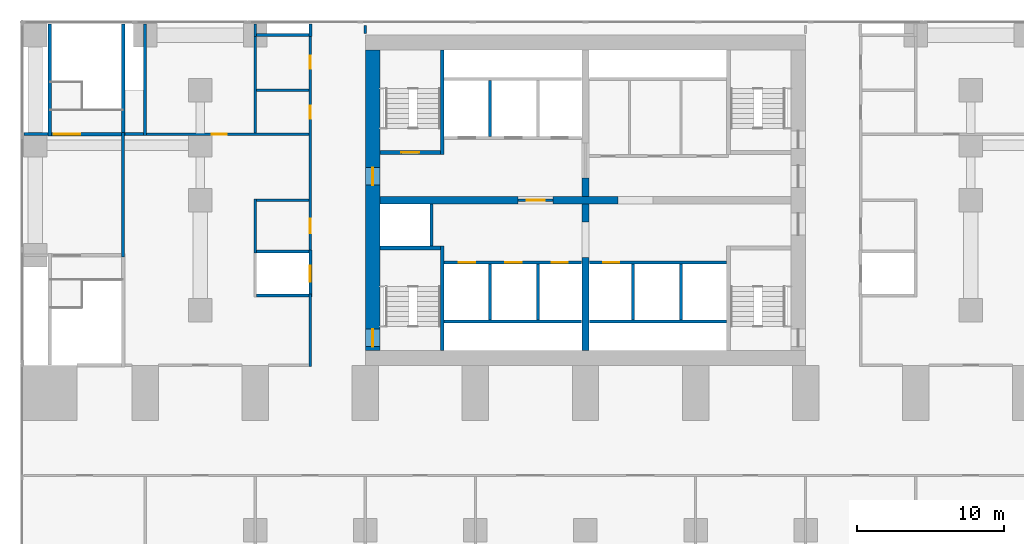
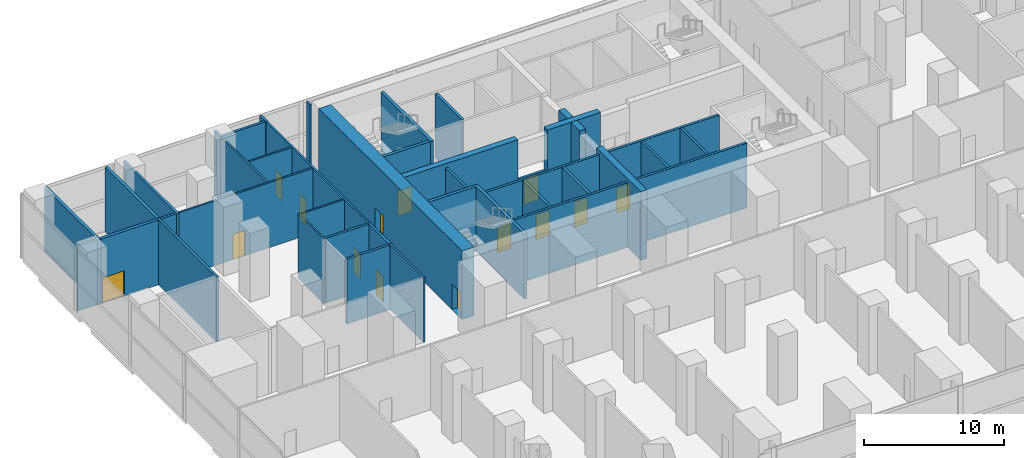
# One storey, part 10 of 14: 42 walls, 14 doors, 14 openings.
"""IFC4 building model written with IfcOpenShell, lengths in metres."""

from ifc_helpers import new_model, si_unit, direction, frame, frame_2d, origin, place, context, subcontext, project, spatial, rectangle, extrude, material, layer, layer_set, type_object, element, fill, save


model = new_model("IFC4")

# Units and contexts
model_context = context("Model", 3, precision=1e-05, world=origin(), true_north=direction((0.0, 1.0)))
body_context = subcontext(model_context, "Body", "Model", "MODEL_VIEW")
ifc_project = project(units=[si_unit("LENGTHUNIT", "METRE"), si_unit("AREAUNIT", "SQUARE_METRE"), si_unit("VOLUMEUNIT", "CUBIC_METRE"), si_unit("PLANEANGLEUNIT", "RADIAN"), si_unit("MASSUNIT", "GRAM", prefix="KILO")], contexts=[model_context])

# Site, building, storey
site_placement = place(None, origin())
site = spatial("IfcSite", under=ifc_project, at=site_placement, CompositionType="ELEMENT")
building_placement = place(site_placement, origin())
building = spatial("IfcBuilding", under=site, at=building_placement, Name="Pilkhan Gate Tower", CompositionType="ELEMENT")
storey_placement = place(building_placement, frame((0.0, 0.0, 24.0)))
storey = spatial("IfcBuildingStorey", under=building, at=storey_placement, Name="L03", CompositionType="ELEMENT", Elevation=24.0)

# Wall, openings, doors
ifc_material_1 = material(Name="Concrete C70/85", Category="concrete")
ifc_layer_1 = layer(ifc_material_1, 1.0)
ifc_layer_set_1 = layer_set([ifc_layer_1], Name="Core wall CW1000 C70/85")
wall_type_1 = type_object("IfcWallType", Name="Core wall CW1000 C70/85", PredefinedType="SHEAR", material=ifc_layer_set_1)
wall_1_placement = place(storey_placement, frame((60.5, 92.75, 0.0), z_axis=(0.0, 0.0, 1.0), x_axis=(0.0, -1.0, 0.0)))
wall_1 = element("IfcWall", 1, at=wall_1_placement, inside=storey, type_object=wall_type_1, Name="Core wall W L03", PredefinedType="SHEAR", context=body_context, shape_type="SweptSolid", body=[
    extrude(rectangle(XDim=20.5, YDim=1.0, at=frame_2d((10.25, 0.0))), origin(), (0.0, 0.0, 1.0), 6.0),
])
opening_1_placement = place(wall_1_placement, frame((19.02490234375, 0.0, 0.0)))
opening_1 = element("IfcOpeningElement", 2, at=opening_1_placement, cuts=wall_1, Name="Opening L03-04", PredefinedType="OPENING", context=body_context, shape_type="SweptSolid", body=[
    extrude(rectangle(XDim=1.199951171875, YDim=2.199951171875, at=frame_2d((0.60009765625, 1.10009765625))), frame((0.0, 0.510009765625, 0.0), z_axis=(0.0, -1.0, 0.0), x_axis=(1.0, 0.0, 0.0)), (0.0, 0.0, 1.0), 1.02001953125),
])
opening_2_placement = place(wall_1_placement, frame((8.02490234375, 0.0, 0.0)))
opening_2 = element("IfcOpeningElement", 3, at=opening_2_placement, cuts=wall_1, Name="Opening L03-15", PredefinedType="OPENING", context=body_context, shape_type="SweptSolid", body=[
    extrude(rectangle(XDim=1.199951171875, YDim=2.199951171875, at=frame_2d((0.60009765625, 1.10009765625))), frame((0.0, 0.510009765625, 0.0), z_axis=(0.0, -1.0, 0.0), x_axis=(1.0, 0.0, 0.0)), (0.0, 0.0, 1.0), 1.02001953125),
])
ifc_material_2 = material(Name="Steel door, 120 minute fire resisting, self-closing", Category="steel")
door_type_1 = type_object("IfcDoorType", Name="Firefighting lobby door D10 1200x2200", OperationType="SINGLE_SWING_LEFT", PredefinedType="DOOR", material=ifc_material_2)
door_1_placement = place(opening_2_placement, origin())
door_1 = element("IfcDoor", 4, at=door_1_placement, inside=storey, type_object=door_type_1, Name="Core door", OperationType="SINGLE_SWING_RIGHT", OverallHeight=2.199951171875, OverallWidth=1.199951171875, PredefinedType="DOOR", context=body_context, shape_type="SweptSolid", body=[
    extrude(rectangle(XDim=1.199951171875, YDim=2.199951171875, at=frame_2d((0.60009765625, 1.10009765625))), frame((0.0, 0.02490234375, 0.0), z_axis=(0.0, -1.0, 0.0), x_axis=(1.0, 0.0, 0.0)), (0.0, 0.0, 1.0), 0.050048828125),
])
fill(opening_2, door_1)
ifc_material_3 = material(Name="Steel door, 120 minute fire resisting, panic bar", Category="steel")
door_type_2 = type_object("IfcDoorType", Name="Stair door D11 1200x2200", OperationType="SINGLE_SWING_LEFT", PredefinedType="DOOR", material=ifc_material_3)
door_2_placement = place(opening_1_placement, origin())
door_2 = element("IfcDoor", 5, at=door_2_placement, inside=storey, type_object=door_type_2, Name="Stair ST2 door", OperationType="SINGLE_SWING_RIGHT", OverallHeight=2.199951171875, OverallWidth=1.199951171875, PredefinedType="DOOR", context=body_context, shape_type="SweptSolid", body=[
    extrude(rectangle(XDim=1.199951171875, YDim=2.199951171875, at=frame_2d((0.60009765625, 1.10009765625))), frame((0.0, 0.02490234375, 0.0), z_axis=(0.0, -1.0, 0.0), x_axis=(1.0, 0.0, 0.0)), (0.0, 0.0, 1.0), 0.050048828125),
])
fill(opening_1, door_2)

# Wall, opening, door
ifc_material_4 = material(Name="Dense blockwork", Category="masonry")
ifc_layer_2 = layer(ifc_material_4, 0.199951171875)
ifc_layer_set_2 = layer_set([ifc_layer_2], Name="Lobby wall LW200")
wall_type_2 = type_object("IfcWallType", Name="Lobby wall LW200", PredefinedType="PARTITIONING", material=ifc_layer_set_2)
wall_2_placement = place(storey_placement, frame((70.409912109375, 82.5, 0.0), z_axis=(0.0, 0.0, 1.0), x_axis=(1.0, 0.0, 0.0)))
wall_2 = element("IfcWall", 6, at=wall_2_placement, inside=storey, type_object=wall_type_2, Name="Partition L03", PredefinedType="PARTITIONING", context=body_context, shape_type="SweptSolid", body=[
    extrude(rectangle(XDim=2.380126953125, YDim=0.199951171875, at=frame_2d((1.18994140625, 0.0))), origin(), (0.0, 0.0, 1.0), 2.39990234375),
])
opening_3_placement = place(wall_2_placement, frame((0.60009765625, 0.0, 0.0)))
opening_3 = element("IfcOpeningElement", 7, at=opening_3_placement, cuts=wall_2, Name="Opening L03-01", PredefinedType="OPENING", context=body_context, shape_type="SweptSolid", body=[
    extrude(rectangle(XDim=1.199951171875, YDim=2.199951171875, at=frame_2d((0.60009765625, 1.10009765625))), frame((0.0, 0.10986328125, 0.0), z_axis=(0.0, -1.0, 0.0), x_axis=(1.0, 0.0, 0.0)), (0.0, 0.0, 1.0), 0.219970703125),
])
door_3_placement = place(opening_3_placement, origin())
door_3 = element("IfcDoor", 8, at=door_3_placement, inside=storey, type_object=door_type_1, Name="Firefighting lobby door", OperationType="SINGLE_SWING_LEFT", OverallHeight=2.199951171875, OverallWidth=1.199951171875, PredefinedType="DOOR", context=body_context, shape_type="SweptSolid", body=[
    extrude(rectangle(XDim=1.199951171875, YDim=2.199951171875, at=frame_2d((0.60009765625, 1.10009765625))), frame((0.0, 0.02490234375, 0.0), z_axis=(0.0, -1.0, 0.0), x_axis=(1.0, 0.0, 0.0)), (0.0, 0.0, 1.0), 0.050048828125),
])
fill(opening_3, door_3)

# Walls
wall_3_placement = place(storey_placement, frame((36.735107421875, 87.0, 0.0), z_axis=(0.0, 0.0, 1.0), x_axis=(1.0, 0.0, 0.0)))
element("IfcWall", 9, at=wall_3_placement, inside=storey, type_object=wall_type_2, Name="Partition L03", PredefinedType="PARTITIONING", context=body_context, shape_type="SweptSolid", body=[
    extrude(rectangle(XDim=1.639892578125, YDim=0.199951171875, at=frame_2d((0.81982421875, 0.0))), origin(), (0.0, 0.0, 1.0), 5.64990234375),
])
wall_4_placement = place(storey_placement, frame((43.625, 87.0, 0.0), z_axis=(0.0, 0.0, 1.0), x_axis=(1.0, 0.0, 0.0)))
element("IfcWall", 10, at=wall_4_placement, inside=storey, type_object=wall_type_2, Name="Partition L03", PredefinedType="PARTITIONING", context=body_context, shape_type="SweptSolid", body=[
    extrude(rectangle(XDim=1.27490234375, YDim=0.199951171875, at=frame_2d((0.637451171875, 0.0))), origin(), (0.0, 0.0, 1.0), 5.64990234375),
])
wall_5_placement = place(storey_placement, frame((52.60009765625, 93.75, 0.0), z_axis=(0.0, 0.0, 1.0), x_axis=(1.0, 0.0, 0.0)))
element("IfcWall", 11, at=wall_5_placement, inside=storey, type_object=wall_type_2, Name="Partition L03", PredefinedType="PARTITIONING", context=body_context, shape_type="SweptSolid", body=[
    extrude(rectangle(XDim=3.5498046875, YDim=0.199951171875, at=frame_2d((1.77490234375, 0.0))), origin(), (0.0, 0.0, 1.0), 5.64990234375),
])
wall_6_placement = place(storey_placement, frame((43.5, 78.625, 0.0), z_axis=(0.0, 0.0, 1.0), x_axis=(0.0, 1.0, 0.0)))
element("IfcWall", 12, at=wall_6_placement, inside=storey, type_object=wall_type_2, Name="Partition L03", PredefinedType="PARTITIONING", context=body_context, shape_type="SweptSolid", body=[
    extrude(rectangle(XDim=8.5, YDim=0.199951171875, at=frame_2d((4.25, 0.0))), origin(), (0.0, 0.0, 1.0), 5.64990234375),
])
wall_7_placement = place(storey_placement, frame((45.0, 86.89990234375, 0.0), z_axis=(0.0, 0.0, 1.0), x_axis=(0.0, 1.0, 0.0)))
element("IfcWall", 13, at=wall_7_placement, inside=storey, type_object=wall_type_2, Name="Partition L03", PredefinedType="PARTITIONING", context=body_context, shape_type="SweptSolid", body=[
    extrude(rectangle(XDim=7.614990234375, YDim=0.199951171875, at=frame_2d((3.8076171875, 0.0))), origin(), (0.0, 0.0, 1.0), 5.64990234375),
])
for number, where, z_axis, x_axis, name in (
    (14, (52.5, 93.64990234375, 0.0), (0.0, 0.0, 1.0), (0.0, 1.0, 0.0), "Partition L03"),
    (15, (56.25, 93.64990234375, 0.0), (0.0, 0.0, 1.0), (0.0, 1.0, 0.0), "Partition L03"),
):
    element("IfcWall", number, at=place(storey_placement, frame(where, z_axis=z_axis, x_axis=x_axis)), inside=storey, type_object=wall_type_2, Name=name, PredefinedType="PARTITIONING", context=body_context, shape_type="SweptSolid", body=[
        extrude(rectangle(XDim=0.864990234375, YDim=0.199951171875, at=frame_2d((0.4326171875, 0.0))), origin(), (0.0, 0.0, 1.0), 5.64990234375),
    ])
ifc_material_5 = material(Name="Blockwork partition, plastered both sides", Category="masonry")
ifc_layer_3 = layer(ifc_material_5, 0.14990234375)
ifc_layer_set_3 = layer_set([ifc_layer_3], Name="Partition PW150")
wall_type_3 = type_object("IfcWallType", Name="Partition PW150", PredefinedType="PARTITIONING", material=ifc_layer_set_3)
wall_8_placement = place(storey_placement, frame((52.574951171875, 82.5, 0.0), z_axis=(0.0, 0.0, 1.0), x_axis=(1.0, 0.0, 0.0)))
element("IfcWall", 16, at=wall_8_placement, inside=storey, type_object=wall_type_3, Name="Partition L03", PredefinedType="PARTITIONING", context=body_context, shape_type="SweptSolid", body=[
    extrude(rectangle(XDim=3.60009765625, YDim=0.14990234375, at=frame_2d((1.800048828125, 0.0))), origin(), (0.0, 0.0, 1.0), 5.64990234375),
])

# Wall, opening, door
wall_9_placement = place(storey_placement, frame((45.10009765625, 87.0, 0.0), z_axis=(0.0, 0.0, 1.0), x_axis=(1.0, 0.0, 0.0)))
wall_9 = element("IfcWall", 17, at=wall_9_placement, inside=storey, type_object=wall_type_3, Name="Partition L03", PredefinedType="PARTITIONING", context=body_context, shape_type="SweptSolid", body=[
    extrude(rectangle(XDim=11.074951171875, YDim=0.14990234375, at=frame_2d((5.53759765625, 0.0))), origin(), (0.0, 0.0, 1.0), 5.64990234375),
])
opening_4_placement = place(wall_9_placement, frame((4.449951171875, 0.0, 0.0)))
opening_4 = element("IfcOpeningElement", 18, at=opening_4_placement, cuts=wall_9, Name="Opening L03-29", PredefinedType="OPENING", context=body_context, shape_type="SweptSolid", body=[
    extrude(rectangle(XDim=1.0, YDim=2.199951171875, at=frame_2d((0.5, 1.10009765625))), frame((0.0, 0.0849609375, 0.0), z_axis=(0.0, -1.0, 0.0), x_axis=(1.0, 0.0, 0.0)), (0.0, 0.0, 1.0), 0.169921875),
])
ifc_material_6 = material(Name="Timber flush door, 30 minute fire resisting", Category="wood")
door_type_3 = type_object("IfcDoorType", Name="Room door D03 1000x2200", OperationType="SINGLE_SWING_LEFT", PredefinedType="DOOR", material=ifc_material_6)
door_4_placement = place(opening_4_placement, origin())
door_4 = element("IfcDoor", 19, at=door_4_placement, inside=storey, type_object=door_type_3, Name="Room door", OperationType="SINGLE_SWING_RIGHT", OverallHeight=2.199951171875, OverallWidth=1.0, PredefinedType="DOOR", context=body_context, shape_type="SweptSolid", body=[
    extrude(rectangle(XDim=1.0, YDim=2.199951171875, at=frame_2d((0.5, 1.10009765625))), frame((0.0, 0.02490234375, 0.0), z_axis=(0.0, -1.0, 0.0), x_axis=(1.0, 0.0, 0.0)), (0.0, 0.0, 1.0), 0.050048828125),
])
fill(opening_4, door_4)

# Walls
wall_10_placement = place(storey_placement, frame((52.574951171875, 90.0, 0.0), z_axis=(0.0, 0.0, 1.0), x_axis=(1.0, 0.0, 0.0)))
element("IfcWall", 20, at=wall_10_placement, inside=storey, type_object=wall_type_3, Name="Partition L03", PredefinedType="PARTITIONING", context=body_context, shape_type="SweptSolid", body=[
    extrude(rectangle(XDim=3.60009765625, YDim=0.14990234375, at=frame_2d((1.800048828125, 0.0))), origin(), (0.0, 0.0, 1.0), 5.64990234375),
])
wall_11_placement = place(storey_placement, frame((52.5, 78.89990234375, 0.0), z_axis=(0.0, 0.0, 1.0), x_axis=(0.0, 1.0, 0.0)))
element("IfcWall", 21, at=wall_11_placement, inside=storey, type_object=wall_type_3, Name="Partition L03", PredefinedType="PARTITIONING", context=body_context, shape_type="SweptSolid", body=[
    extrude(rectangle(XDim=3.675048828125, YDim=0.14990234375, at=frame_2d((1.83740234375, 0.0))), origin(), (0.0, 0.0, 1.0), 5.64990234375),
])
wall_12_placement = place(storey_placement, frame((52.5, 87.074951171875, 0.0), z_axis=(0.0, 0.0, 1.0), x_axis=(0.0, 1.0, 0.0)))
element("IfcWall", 22, at=wall_12_placement, inside=storey, type_object=wall_type_3, Name="Partition L03", PredefinedType="PARTITIONING", context=body_context, shape_type="SweptSolid", body=[
    extrude(rectangle(XDim=6.675048828125, YDim=0.14990234375, at=frame_2d((3.33740234375, 0.0))), origin(), (0.0, 0.0, 1.0), 5.64990234375),
])
wall_13_placement = place(storey_placement, frame((56.25, 71.175048828125, 0.0), z_axis=(0.0, 0.0, 1.0), x_axis=(0.0, 1.0, 0.0)))
element("IfcWall", 23, at=wall_13_placement, inside=storey, type_object=wall_type_3, Name="Partition L03", PredefinedType="PARTITIONING", context=body_context, shape_type="SweptSolid", body=[
    extrude(rectangle(XDim=4.925048828125, YDim=0.14990234375, at=frame_2d((2.46240234375, 0.0))), origin(), (0.0, 0.0, 1.0), 5.64990234375),
])

# Wall, openings, doors
wall_14_placement = place(storey_placement, frame((56.25, 78.89990234375, 0.0), z_axis=(0.0, 0.0, 1.0), x_axis=(0.0, 1.0, 0.0)))
wall_14 = element("IfcWall", 24, at=wall_14_placement, inside=storey, type_object=wall_type_3, Name="Partition L03", PredefinedType="PARTITIONING", context=body_context, shape_type="SweptSolid", body=[
    extrude(rectangle(XDim=14.85009765625, YDim=0.14990234375, at=frame_2d((7.425048828125, 0.0))), origin(), (0.0, 0.0, 1.0), 5.64990234375),
])
opening_5_placement = place(wall_14_placement, frame((9.14990234375, 0.0, 0.0)))
opening_5 = element("IfcOpeningElement", 25, at=opening_5_placement, cuts=wall_14, Name="Opening L03-30", PredefinedType="OPENING", context=body_context, shape_type="SweptSolid", body=[
    extrude(rectangle(XDim=0.89990234375, YDim=2.199951171875, at=frame_2d((0.449951171875, 1.10009765625))), frame((0.0, 0.0849609375, 0.0), z_axis=(0.0, -1.0, 0.0), x_axis=(1.0, 0.0, 0.0)), (0.0, 0.0, 1.0), 0.169921875),
])
opening_6_placement = place(wall_14_placement, frame((12.550048828125, 0.0, 0.0)))
opening_6 = element("IfcOpeningElement", 26, at=opening_6_placement, cuts=wall_14, Name="Opening L03-31", PredefinedType="OPENING", context=body_context, shape_type="SweptSolid", body=[
    extrude(rectangle(XDim=0.89990234375, YDim=2.199951171875, at=frame_2d((0.449951171875, 1.10009765625))), frame((0.0, 0.0849609375, 0.0), z_axis=(0.0, -1.0, 0.0), x_axis=(1.0, 0.0, 0.0)), (0.0, 0.0, 1.0), 0.169921875),
])
opening_7_placement = place(wall_14_placement, frame((1.35009765625, 0.0, 0.0)))
opening_7 = element("IfcOpeningElement", 27, at=opening_7_placement, cuts=wall_14, Name="Opening L03-32", PredefinedType="OPENING", context=body_context, shape_type="SweptSolid", body=[
    extrude(rectangle(XDim=1.0, YDim=2.199951171875, at=frame_2d((0.5, 1.10009765625))), frame((0.0, 0.0849609375, 0.0), z_axis=(0.0, -1.0, 0.0), x_axis=(1.0, 0.0, 0.0)), (0.0, 0.0, 1.0), 0.169921875),
])
ifc_material_7 = material(Name="Timber flush door, outward opening, 30 minute fire resisting", Category="wood")
door_type_4 = type_object("IfcDoorType", Name="Accessible toilet door D07 1000x2200", OperationType="SINGLE_SWING_LEFT", PredefinedType="DOOR", material=ifc_material_7)
door_5_placement = place(opening_7_placement, origin())
door_5 = element("IfcDoor", 28, at=door_5_placement, inside=storey, type_object=door_type_4, Name="Accessible toilet door", OperationType="SINGLE_SWING_LEFT", OverallHeight=2.199951171875, OverallWidth=1.0, PredefinedType="DOOR", context=body_context, shape_type="SweptSolid", body=[
    extrude(rectangle(XDim=1.0, YDim=2.199951171875, at=frame_2d((0.5, 1.10009765625))), frame((0.0, 0.02490234375, 0.0), z_axis=(0.0, -1.0, 0.0), x_axis=(1.0, 0.0, 0.0)), (0.0, 0.0, 1.0), 0.050048828125),
])
fill(opening_7, door_5)
door_type_5 = type_object("IfcDoorType", Name="Toilet door D06 900x2200", OperationType="SINGLE_SWING_LEFT", PredefinedType="DOOR", material=ifc_material_6)
door_6_placement = place(opening_5_placement, origin())
door_6 = element("IfcDoor", 29, at=door_6_placement, inside=storey, type_object=door_type_5, Name="Toilet door", OperationType="SINGLE_SWING_LEFT", OverallHeight=2.199951171875, OverallWidth=0.89990234375, PredefinedType="DOOR", context=body_context, shape_type="SweptSolid", body=[
    extrude(rectangle(XDim=0.89990234375, YDim=2.199951171875, at=frame_2d((0.449951171875, 1.10009765625))), frame((0.0, 0.02490234375, 0.0), z_axis=(0.0, -1.0, 0.0), x_axis=(1.0, 0.0, 0.0)), (0.0, 0.0, 1.0), 0.050048828125),
])
fill(opening_5, door_6)
door_7_placement = place(opening_6_placement, origin())
door_7 = element("IfcDoor", 30, at=door_7_placement, inside=storey, type_object=door_type_5, Name="Toilet door", OperationType="SINGLE_SWING_RIGHT", OverallHeight=2.199951171875, OverallWidth=0.89990234375, PredefinedType="DOOR", context=body_context, shape_type="SweptSolid", body=[
    extrude(rectangle(XDim=0.89990234375, YDim=2.199951171875, at=frame_2d((0.449951171875, 1.10009765625))), frame((0.0, 0.02490234375, 0.0), z_axis=(0.0, -1.0, 0.0), x_axis=(1.0, 0.0, 0.0)), (0.0, 0.0, 1.0), 0.050048828125),
])
fill(opening_6, door_7)

# Walls
wall_15_placement = place(storey_placement, frame((60.0, 93.8701171875, 0.0), z_axis=(0.0, 0.0, 1.0), x_axis=(0.0, 1.0, 0.0)))
element("IfcWall", 31, at=wall_15_placement, inside=storey, type_object=wall_type_3, Name="Partition L03", PredefinedType="PARTITIONING", context=body_context, shape_type="SweptSolid", body=[
    extrude(rectangle(XDim=0.52490234375, YDim=0.14990234375, at=frame_2d((0.262451171875, 0.0))), origin(), (0.0, 0.0, 1.0), 5.64990234375),
])
ifc_material_8 = material(Name="Reinforced blockwork shaft wall, 120 minute fire resisting", Category="masonry")
ifc_layer_4 = layer(ifc_material_8, 0.199951171875)
ifc_layer_set_4 = layer_set([ifc_layer_4], Name="Shaft wall SW200")
wall_type_4 = type_object("IfcWallType", Name="Shaft wall SW200", PredefinedType="PARTITIONING", material=ifc_layer_set_4)
for number, where, z_axis, x_axis, name in (
    (32, (65.375, 74.25, 0.0), (0.0, 0.0, 1.0), (1.0, 0.0, 0.0), "Partition L03"),
    (33, (75.260009765625, 74.25, 0.0), (0.0, 0.0, 1.0), (1.0, 0.0, 0.0), "Partition L03"),
):
    element("IfcWall", number, at=place(storey_placement, frame(where, z_axis=z_axis, x_axis=x_axis)), inside=storey, type_object=wall_type_4, Name=name, PredefinedType="PARTITIONING", context=body_context, shape_type="SweptSolid", body=[
        extrude(rectangle(XDim=9.364990234375, YDim=0.199951171875, at=frame_2d((4.6826171875, 0.0))), origin(), (0.0, 0.0, 1.0), 5.64990234375),
    ])
wall_16_placement = place(storey_placement, frame((52.60009765625, 76.0, 0.0), z_axis=(0.0, 0.0, 1.0), x_axis=(1.0, 0.0, 0.0)))
element("IfcWall", 34, at=wall_16_placement, inside=storey, type_object=wall_type_4, Name="Partition L03", PredefinedType="PARTITIONING", context=body_context, shape_type="SweptSolid", body=[
    extrude(rectangle(XDim=3.5498046875, YDim=0.199951171875, at=frame_2d((1.77490234375, 0.0))), origin(), (0.0, 0.0, 1.0), 5.64990234375),
])

# Wall, openings, doors
wall_17_placement = place(storey_placement, frame((65.375, 78.25, 0.0), z_axis=(0.0, 0.0, 1.0), x_axis=(1.0, 0.0, 0.0)))
wall_17 = element("IfcWall", 35, at=wall_17_placement, inside=storey, type_object=wall_type_4, Name="Partition L03", PredefinedType="PARTITIONING", context=body_context, shape_type="SweptSolid", body=[
    extrude(rectangle(XDim=9.364990234375, YDim=0.199951171875, at=frame_2d((4.6826171875, 0.0))), origin(), (0.0, 0.0, 1.0), 5.64990234375),
])
opening_8_placement = place(wall_17_placement, frame((1.0, 0.0, 0.0)))
opening_8 = element("IfcOpeningElement", 36, at=opening_8_placement, cuts=wall_17, Name="Opening LD", PredefinedType="OPENING", context=body_context, shape_type="SweptSolid", body=[
    extrude(rectangle(XDim=1.10009765625, YDim=2.199951171875, at=frame_2d((0.550048828125, 1.10009765625))), frame((0.0, 0.10986328125, 0.0), z_axis=(0.0, -1.0, 0.0), x_axis=(1.0, 0.0, 0.0)), (0.0, 0.0, 1.0), 0.219970703125),
])
opening_9_placement = place(wall_17_placement, frame((4.175048828125, 0.0, 0.0)))
opening_9 = element("IfcOpeningElement", 37, at=opening_9_placement, cuts=wall_17, Name="Opening LD", PredefinedType="OPENING", context=body_context, shape_type="SweptSolid", body=[
    extrude(rectangle(XDim=1.10009765625, YDim=2.199951171875, at=frame_2d((0.550048828125, 1.10009765625))), frame((0.0, 0.10986328125, 0.0), z_axis=(0.0, -1.0, 0.0), x_axis=(1.0, 0.0, 0.0)), (0.0, 0.0, 1.0), 0.219970703125),
])
opening_10_placement = place(wall_17_placement, frame((7.324951171875, 0.0, 0.0)))
opening_10 = element("IfcOpeningElement", 38, at=opening_10_placement, cuts=wall_17, Name="Opening LD", PredefinedType="OPENING", context=body_context, shape_type="SweptSolid", body=[
    extrude(rectangle(XDim=1.10009765625, YDim=2.199951171875, at=frame_2d((0.550048828125, 1.10009765625))), frame((0.0, 0.10986328125, 0.0), z_axis=(0.0, -1.0, 0.0), x_axis=(1.0, 0.0, 0.0)), (0.0, 0.0, 1.0), 0.219970703125),
])
ifc_material_9 = material(Name="Stainless steel centre-opening landing door, 120 minute fire resisting", Category="steel")
door_type_6 = type_object("IfcDoorType", Name="Lift landing door LD 1100x2200", OperationType="DOUBLE_DOOR_SLIDING", PredefinedType="DOOR", material=ifc_material_9)
door_8_placement = place(opening_8_placement, origin())
door_8 = element("IfcDoor", 39, at=door_8_placement, inside=storey, type_object=door_type_6, Name="Landing door LR1", OperationType="DOUBLE_DOOR_SLIDING", OverallHeight=2.199951171875, OverallWidth=1.10009765625, PredefinedType="DOOR", context=body_context, shape_type="SweptSolid", body=[
    extrude(rectangle(XDim=1.10009765625, YDim=2.199951171875, at=frame_2d((0.550048828125, 1.10009765625))), frame((0.0, 0.02490234375, 0.0), z_axis=(0.0, -1.0, 0.0), x_axis=(1.0, 0.0, 0.0)), (0.0, 0.0, 1.0), 0.050048828125),
])
fill(opening_8, door_8)
door_9_placement = place(opening_9_placement, origin())
door_9 = element("IfcDoor", 40, at=door_9_placement, inside=storey, type_object=door_type_6, Name="Landing door LR2", OperationType="DOUBLE_DOOR_SLIDING", OverallHeight=2.199951171875, OverallWidth=1.10009765625, PredefinedType="DOOR", context=body_context, shape_type="SweptSolid", body=[
    extrude(rectangle(XDim=1.10009765625, YDim=2.199951171875, at=frame_2d((0.550048828125, 1.10009765625))), frame((0.0, 0.02490234375, 0.0), z_axis=(0.0, -1.0, 0.0), x_axis=(1.0, 0.0, 0.0)), (0.0, 0.0, 1.0), 0.050048828125),
])
fill(opening_9, door_9)
door_10_placement = place(opening_10_placement, origin())
door_10 = element("IfcDoor", 41, at=door_10_placement, inside=storey, type_object=door_type_6, Name="Landing door LR3", OperationType="DOUBLE_DOOR_SLIDING", OverallHeight=2.199951171875, OverallWidth=1.10009765625, PredefinedType="DOOR", context=body_context, shape_type="SweptSolid", body=[
    extrude(rectangle(XDim=1.10009765625, YDim=2.199951171875, at=frame_2d((0.550048828125, 1.10009765625))), frame((0.0, 0.02490234375, 0.0), z_axis=(0.0, -1.0, 0.0), x_axis=(1.0, 0.0, 0.0)), (0.0, 0.0, 1.0), 0.050048828125),
])
fill(opening_10, door_10)

# Wall, opening, door
wall_18_placement = place(storey_placement, frame((75.260009765625, 78.25, 0.0), z_axis=(0.0, 0.0, 1.0), x_axis=(1.0, 0.0, 0.0)))
wall_18 = element("IfcWall", 42, at=wall_18_placement, inside=storey, type_object=wall_type_4, Name="Partition L03", PredefinedType="PARTITIONING", context=body_context, shape_type="SweptSolid", body=[
    extrude(rectangle(XDim=9.364990234375, YDim=0.199951171875, at=frame_2d((4.6826171875, 0.0))), origin(), (0.0, 0.0, 1.0), 5.64990234375),
])
opening_11_placement = place(wall_18_placement, frame((0.949951171875, 0.0, 0.0)))
opening_11 = element("IfcOpeningElement", 43, at=opening_11_placement, cuts=wall_18, Name="Opening LD", PredefinedType="OPENING", context=body_context, shape_type="SweptSolid", body=[
    extrude(rectangle(XDim=1.10009765625, YDim=2.199951171875, at=frame_2d((0.550048828125, 1.10009765625))), frame((0.0, 0.10986328125, 0.0), z_axis=(0.0, -1.0, 0.0), x_axis=(1.0, 0.0, 0.0)), (0.0, 0.0, 1.0), 0.219970703125),
])
door_11_placement = place(opening_11_placement, origin())
door_11 = element("IfcDoor", 44, at=door_11_placement, inside=storey, type_object=door_type_6, Name="Landing door LR4", OperationType="DOUBLE_DOOR_SLIDING", OverallHeight=2.199951171875, OverallWidth=1.10009765625, PredefinedType="DOOR", context=body_context, shape_type="SweptSolid", body=[
    extrude(rectangle(XDim=1.10009765625, YDim=2.199951171875, at=frame_2d((0.550048828125, 1.10009765625))), frame((0.0, 0.02490234375, 0.0), z_axis=(0.0, -1.0, 0.0), x_axis=(1.0, 0.0, 0.0)), (0.0, 0.0, 1.0), 0.050048828125),
])
fill(opening_11, door_11)

# Wall
wall_19_placement = place(storey_placement, frame((52.60009765625, 79.0, 0.0), z_axis=(0.0, 0.0, 1.0), x_axis=(1.0, 0.0, 0.0)))
element("IfcWall", 45, at=wall_19_placement, inside=storey, type_object=wall_type_4, Name="Partition L03", PredefinedType="PARTITIONING", context=body_context, shape_type="SweptSolid", body=[
    extrude(rectangle(XDim=3.5498046875, YDim=0.199951171875, at=frame_2d((1.77490234375, 0.0))), origin(), (0.0, 0.0, 1.0), 5.64990234375),
])

# Wall, opening, door
wall_20_placement = place(storey_placement, frame((56.25, 75.89990234375, 0.0), z_axis=(0.0, 0.0, 1.0), x_axis=(0.0, 1.0, 0.0)))
wall_20 = element("IfcWall", 46, at=wall_20_placement, inside=storey, type_object=wall_type_4, Name="Partition L03", PredefinedType="PARTITIONING", context=body_context, shape_type="SweptSolid", body=[
    extrude(rectangle(XDim=3.2001953125, YDim=0.199951171875, at=frame_2d((1.60009765625, 0.0))), origin(), (0.0, 0.0, 1.0), 5.64990234375),
])
opening_12_placement = place(wall_20_placement, frame((1.050048828125, 0.0, 0.0)))
opening_12 = element("IfcOpeningElement", 47, at=opening_12_placement, cuts=wall_20, Name="Opening LD", PredefinedType="OPENING", context=body_context, shape_type="SweptSolid", body=[
    extrude(rectangle(XDim=1.10009765625, YDim=2.199951171875, at=frame_2d((0.550048828125, 1.10009765625))), frame((0.0, 0.10986328125, 0.0), z_axis=(0.0, -1.0, 0.0), x_axis=(1.0, 0.0, 0.0)), (0.0, 0.0, 1.0), 0.219970703125),
])
door_12_placement = place(opening_12_placement, origin())
door_12 = element("IfcDoor", 48, at=door_12_placement, inside=storey, type_object=door_type_6, Name="Landing door P1", OperationType="DOUBLE_DOOR_SLIDING", OverallHeight=2.199951171875, OverallWidth=1.10009765625, PredefinedType="DOOR", context=body_context, shape_type="SweptSolid", body=[
    extrude(rectangle(XDim=1.10009765625, YDim=2.199951171875, at=frame_2d((0.550048828125, 1.10009765625))), frame((0.0, 0.02490234375, 0.0), z_axis=(0.0, -1.0, 0.0), x_axis=(1.0, 0.0, 0.0)), (0.0, 0.0, 1.0), 0.050048828125),
])
fill(opening_12, door_12)

# Walls
wall_21_placement = place(storey_placement, frame((64.5, 79.375, 0.0), z_axis=(0.0, 0.0, 1.0), x_axis=(0.0, 1.0, 0.0)))
element("IfcWall", 49, at=wall_21_placement, inside=storey, type_object=wall_type_4, Name="Partition L03", PredefinedType="PARTITIONING", context=body_context, shape_type="SweptSolid", body=[
    extrude(rectangle(XDim=2.864990234375, YDim=0.199951171875, at=frame_2d((1.4326171875, 0.0))), origin(), (0.0, 0.0, 1.0), 5.64990234375),
])
for number, where, z_axis, x_axis, name in (
    (50, (68.5, 74.35009765625, 0.0), (0.0, 0.0, 1.0), (0.0, 1.0, 0.0), "Partition L03"),
    (51, (68.5, 86.85009765625, 0.0), (0.0, 0.0, 1.0), (0.0, 1.0, 0.0), "Partition L03"),
    (52, (71.75, 74.35009765625, 0.0), (0.0, 0.0, 1.0), (0.0, 1.0, 0.0), "Partition L03"),
    (53, (78.25, 74.35009765625, 0.0), (0.0, 0.0, 1.0), (0.0, 1.0, 0.0), "Partition L03"),
    (54, (81.5, 74.35009765625, 0.0), (0.0, 0.0, 1.0), (0.0, 1.0, 0.0), "Partition L03"),
):
    element("IfcWall", number, at=place(storey_placement, frame(where, z_axis=z_axis, x_axis=x_axis)), inside=storey, type_object=wall_type_4, Name=name, PredefinedType="PARTITIONING", context=body_context, shape_type="SweptSolid", body=[
        extrude(rectangle(XDim=3.7998046875, YDim=0.199951171875, at=frame_2d((1.89990234375, 0.0))), origin(), (0.0, 0.0, 1.0), 5.64990234375),
    ])
ifc_layer_5 = layer(ifc_material_1, 0.5)
ifc_layer_set_5 = layer_set([ifc_layer_5], Name="Spine wall SW500 C70/85")
wall_type_5 = type_object("IfcWallType", Name="Spine wall SW500 C70/85", PredefinedType="SHEAR", material=ifc_layer_set_5)
wall_22_placement = place(storey_placement, frame((61.0, 82.5, 0.0), z_axis=(0.0, 0.0, 1.0), x_axis=(1.0, 0.0, 0.0)))
element("IfcWall", 55, at=wall_22_placement, inside=storey, type_object=wall_type_5, Name="Spine wall SP-EW1 L03", PredefinedType="SHEAR", context=body_context, shape_type="SweptSolid", body=[
    extrude(rectangle(XDim=9.39990234375, YDim=0.5, at=frame_2d((4.699951171875, 0.0))), origin(), (0.0, 0.0, 1.0), 6.0),
])
wall_23_placement = place(storey_placement, frame((72.800048828125, 82.5, 0.0), z_axis=(0.0, 0.0, 1.0), x_axis=(1.0, 0.0, 0.0)))
element("IfcWall", 56, at=wall_23_placement, inside=storey, type_object=wall_type_5, Name="Spine wall SP-EW2 L03", PredefinedType="SHEAR", context=body_context, shape_type="SweptSolid", body=[
    extrude(rectangle(XDim=4.39990234375, YDim=0.5, at=frame_2d((2.199951171875, 0.0))), origin(), (0.0, 0.0, 1.0), 6.0),
])
wall_24_placement = place(storey_placement, frame((75.0, 72.25, 0.0), z_axis=(0.0, 0.0, 1.0), x_axis=(0.0, 1.0, 0.0)))
element("IfcWall", 57, at=wall_24_placement, inside=storey, type_object=wall_type_5, Name="Spine wall SP-NS-S1 L03", PredefinedType="SHEAR", context=body_context, shape_type="SweptSolid", body=[
    extrude(rectangle(XDim=6.35009765625, YDim=0.5, at=frame_2d((3.175048828125, 0.0))), origin(), (0.0, 0.0, 1.0), 6.0),
])
for number, where, z_axis, x_axis, name in (
    (58, (75.0, 81.0, 0.0), (0.0, 0.0, 1.0), (0.0, 1.0, 0.0), "Spine wall SP-NS-S2 L03"),
    (59, (75.0, 82.75, 0.0), (0.0, 0.0, 1.0), (0.0, 1.0, 0.0), "Spine wall SP-NS-N1 L03"),
):
    element("IfcWall", number, at=place(storey_placement, frame(where, z_axis=z_axis, x_axis=x_axis)), inside=storey, type_object=wall_type_5, Name=name, PredefinedType="SHEAR", context=body_context, shape_type="SweptSolid", body=[
        extrude(rectangle(XDim=1.25, YDim=0.5, at=frame_2d((0.625, 0.0))), origin(), (0.0, 0.0, 1.0), 6.0),
    ])
ifc_material_10 = material(Name="Reinforced blockwork, 120 minute fire resisting", Category="masonry")
ifc_layer_6 = layer(ifc_material_10, 0.25)
ifc_layer_set_6 = layer_set([ifc_layer_6], Name="Stair enclosure wall SE250")
wall_type_6 = type_object("IfcWallType", Name="Stair enclosure wall SE250", PredefinedType="PARTITIONING", material=ifc_layer_set_6)
wall_25_placement = place(storey_placement, frame((61.010009765625, 79.25, 0.0), z_axis=(0.0, 0.0, 1.0), x_axis=(1.0, 0.0, 0.0)))
element("IfcWall", 60, at=wall_25_placement, inside=storey, type_object=wall_type_6, Name="Partition L03", PredefinedType="PARTITIONING", context=body_context, shape_type="SweptSolid", body=[
    extrude(rectangle(XDim=4.114990234375, YDim=0.25, at=frame_2d((2.0576171875, 0.0))), origin(), (0.0, 0.0, 1.0), 5.64990234375),
])

# Wall, opening, door
wall_26_placement = place(storey_placement, frame((61.010009765625, 85.75, 0.0), z_axis=(0.0, 0.0, 1.0), x_axis=(1.0, 0.0, 0.0)))
wall_26 = element("IfcWall", 61, at=wall_26_placement, inside=storey, type_object=wall_type_6, Name="Partition L03", PredefinedType="PARTITIONING", context=body_context, shape_type="SweptSolid", body=[
    extrude(rectangle(XDim=4.114990234375, YDim=0.25, at=frame_2d((2.0576171875, 0.0))), origin(), (0.0, 0.0, 1.0), 5.64990234375),
])
opening_13_placement = place(wall_26_placement, frame((1.449951171875, 0.0, 0.0)))
opening_13 = element("IfcOpeningElement", 62, at=opening_13_placement, cuts=wall_26, Name="Opening L03-02", PredefinedType="OPENING", context=body_context, shape_type="SweptSolid", body=[
    extrude(rectangle(XDim=1.199951171875, YDim=2.199951171875, at=frame_2d((0.60009765625, 1.10009765625))), frame((0.0, 0.135009765625, 0.0), z_axis=(0.0, -1.0, 0.0), x_axis=(1.0, 0.0, 0.0)), (0.0, 0.0, 1.0), 0.27001953125),
])
door_13_placement = place(opening_13_placement, origin())
door_13 = element("IfcDoor", 63, at=door_13_placement, inside=storey, type_object=door_type_2, Name="Stair ST3 lobby door", OperationType="SINGLE_SWING_LEFT", OverallHeight=2.199951171875, OverallWidth=1.199951171875, PredefinedType="DOOR", context=body_context, shape_type="SweptSolid", body=[
    extrude(rectangle(XDim=1.199951171875, YDim=2.199951171875, at=frame_2d((0.60009765625, 1.10009765625))), frame((0.0, 0.02490234375, 0.0), z_axis=(0.0, -1.0, 0.0), x_axis=(1.0, 0.0, 0.0)), (0.0, 0.0, 1.0), 0.050048828125),
])
fill(opening_13, door_13)

wall_27_placement = place(storey_placement, frame((38.625, 87.0, 0.0), z_axis=(0.0, 0.0, 1.0), x_axis=(1.0, 0.0, 0.0)))
wall_27 = element("IfcWall", 64, at=wall_27_placement, inside=storey, type_object=wall_type_6, Name="Partition L03", PredefinedType="PARTITIONING", context=body_context, shape_type="SweptSolid", body=[
    extrude(rectangle(XDim=4.75, YDim=0.25, at=frame_2d((2.375, 0.0))), origin(), (0.0, 0.0, 1.0), 5.64990234375),
])
opening_14_placement = place(wall_27_placement, frame((0.14990234375, 0.0, 0.0)))
opening_14 = element("IfcOpeningElement", 65, at=opening_14_placement, cuts=wall_27, Name="Opening L03-06", PredefinedType="OPENING", context=body_context, shape_type="SweptSolid", body=[
    extrude(rectangle(XDim=1.800048828125, YDim=2.199951171875, at=frame_2d((0.89990234375, 1.10009765625))), frame((0.0, 0.135009765625, 0.0), z_axis=(0.0, -1.0, 0.0), x_axis=(1.0, 0.0, 0.0)), (0.0, 0.0, 1.0), 0.27001953125),
])
ifc_material_11 = material(Name="Steel double door, 120 minute fire resisting, panic bar", Category="steel")
door_type_7 = type_object("IfcDoorType", Name="Stair door D14 1800x2200", OperationType="DOUBLE_DOOR_SINGLE_SWING", PredefinedType="DOOR", material=ifc_material_11)
door_14_placement = place(opening_14_placement, origin())
door_14 = element("IfcDoor", 66, at=door_14_placement, inside=storey, type_object=door_type_7, Name="Stair PS1 door", OperationType="DOUBLE_DOOR_SINGLE_SWING", OverallHeight=2.199951171875, OverallWidth=1.800048828125, PredefinedType="DOOR", context=body_context, shape_type="SweptSolid", body=[
    extrude(rectangle(XDim=1.800048828125, YDim=2.199951171875, at=frame_2d((0.89990234375, 1.10009765625))), frame((0.0, 0.02490234375, 0.0), z_axis=(0.0, -1.0, 0.0), x_axis=(1.0, 0.0, 0.0)), (0.0, 0.0, 1.0), 0.050048828125),
])
fill(opening_14, door_14)

# Walls
for number, where, z_axis, x_axis, name in (
    (67, (38.5, 86.875, 0.0), (0.0, 0.0, 1.0), (0.0, 1.0, 0.0), "Partition L03"),
    (68, (43.5, 86.875, 0.0), (0.0, 0.0, 1.0), (0.0, 1.0, 0.0), "Partition L03"),
):
    element("IfcWall", number, at=place(storey_placement, frame(where, z_axis=z_axis, x_axis=x_axis)), inside=storey, type_object=wall_type_6, Name=name, PredefinedType="PARTITIONING", context=body_context, shape_type="SweptSolid", body=[
        extrude(rectangle(XDim=7.625, YDim=0.25, at=frame_2d((3.8125, 0.0))), origin(), (0.0, 0.0, 1.0), 5.64990234375),
    ])
for number, where, z_axis, x_axis, name in (
    (69, (65.25, 72.260009765625, 0.0), (0.0, 0.0, 1.0), (0.0, 1.0, 0.0), "Partition L03"),
    (70, (65.25, 85.625, 0.0), (0.0, 0.0, 1.0), (0.0, 1.0, 0.0), "Partition L03"),
):
    element("IfcWall", number, at=place(storey_placement, frame(where, z_axis=z_axis, x_axis=x_axis)), inside=storey, type_object=wall_type_6, Name=name, PredefinedType="PARTITIONING", context=body_context, shape_type="SweptSolid", body=[
        extrude(rectangle(XDim=7.114990234375, YDim=0.25, at=frame_2d((3.5576171875, 0.0))), origin(), (0.0, 0.0, 1.0), 5.64990234375),
    ])

save(model, "model.ifc")
